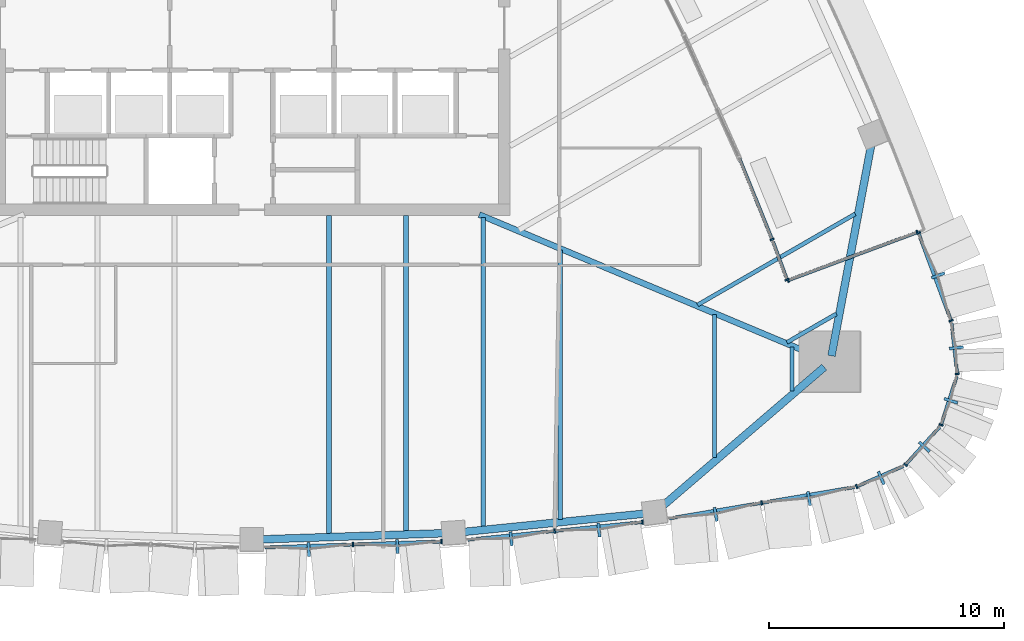
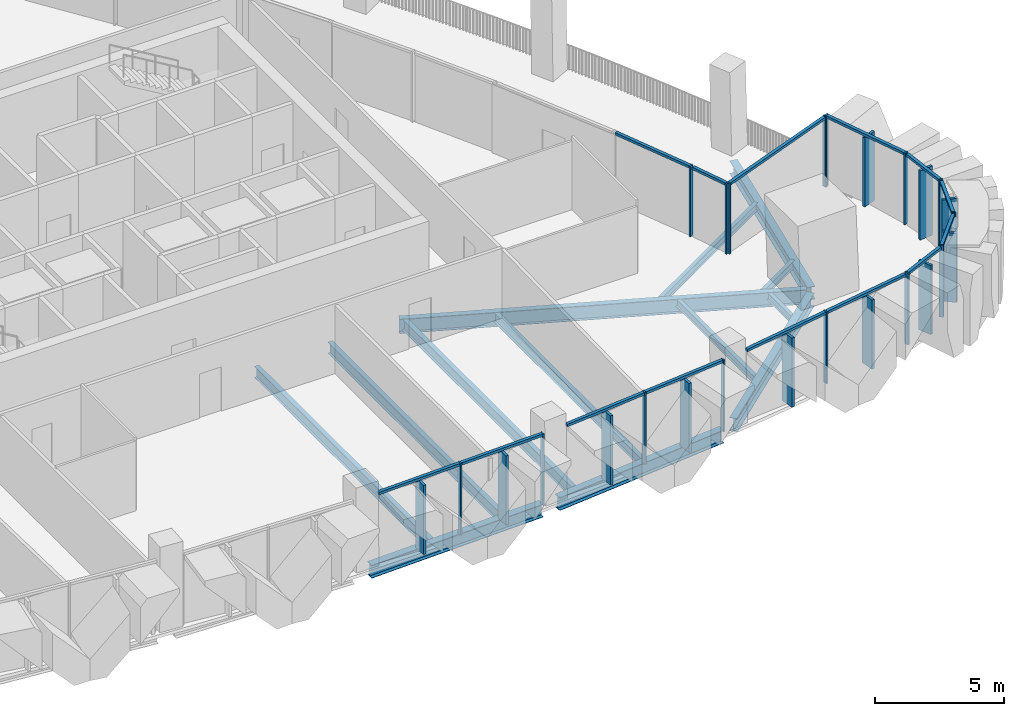
# One storey, part 4 of 22: 40 members, 13 beams, 11 elements without a shape of their own.
"""IFC4 building model written with IfcOpenShell, lengths in metres."""

from ifc_helpers import new_model, si_unit, direction, frame, origin, origin_2d, place, context, subcontext, project, spatial, rectangle, i_section, extrude, material, layer, layer_set, material_profile, profile_set, type_object, element, aggregate, save


model = new_model("IFC4")

# Units and contexts
model_context = context("Model", 3, precision=1e-05, world=origin(), true_north=direction((0.0, 1.0)))
body_context = subcontext(model_context, "Body", "Model", "MODEL_VIEW")
ifc_project = project(units=[si_unit("LENGTHUNIT", "METRE"), si_unit("AREAUNIT", "SQUARE_METRE"), si_unit("VOLUMEUNIT", "CUBIC_METRE"), si_unit("PLANEANGLEUNIT", "RADIAN"), si_unit("MASSUNIT", "GRAM", prefix="KILO")], contexts=[model_context])

# Site, building, storey
site_placement = place(None, origin())
site = spatial("IfcSite", under=ifc_project, at=site_placement, CompositionType="ELEMENT")
building_placement = place(site_placement, origin())
building = spatial("IfcBuilding", under=site, at=building_placement, Name="Sierra Prisma Convention Tower", CompositionType="ELEMENT")
storey_placement = place(building_placement, frame((0.0, 0.0, 141.800048828125)))
storey = spatial("IfcBuildingStorey", under=building, at=storey_placement, Name="L30", CompositionType="ELEMENT", Elevation=141.800048828125)

# Curtain wall, members
ifc_material_1 = material(Name="Aluminium and glass curtain wall", Category="aluminium")
ifc_layer_1 = layer(ifc_material_1, 0.179931640625)
ifc_layer_set_1 = layer_set([ifc_layer_1], Name="CW-2 Faceted crystal curtain wall")
curtain_wall_type_1 = type_object("IfcCurtainWallType", Name="CW-2 Faceted crystal curtain wall", PredefinedType="NOTDEFINED", material=ifc_layer_set_1)
curtain_wall_1_placement = place(storey_placement, origin())
curtain_wall_1 = element("IfcCurtainWall", 1, at=curtain_wall_1_placement, inside=storey, type_object=curtain_wall_type_1, Name="CW-2 S4 L30", PredefinedType="NOTDEFINED")
ifc_material_2 = material(Name="Aluminium 6063-T6 bronze anodised", Category="aluminium")
ifc_material_profile_1 = material_profile(ifc_material_2, rectangle(XDim=0.1201171875, YDim=0.60009765625, at=origin_2d()), Name="ALU RIDGE BLADE 120x600")
ifc_profile_set_1 = profile_set([ifc_material_profile_1], Name="Aluminium 6063-T6 bronze anodised")
member_type_1 = type_object("IfcMemberType", Name="CW hip bronze", PredefinedType="MULLION", material=ifc_profile_set_1)
member_1_placement = place(storey_placement, frame((2.42626953125, -22.21728515625, 0.0), z_axis=(0.0, 0.0, 1.0), x_axis=(0.999437717663, 0.033529815272, 0.0)))
member_1 = element("IfcMember", 2, at=member_1_placement, type_object=member_type_1, Name="CW-2 ridge S4.1", PredefinedType="MULLION", context=body_context, shape_type="SweptSolid", body=[
    extrude(rectangle(XDim=0.1201171875, YDim=0.60009765625, at=origin_2d()), origin(), (0.0, 0.0, 1.0), 3.280029296875),
])
member_2_placement = place(storey_placement, frame((6.19970703125, -22.0908203125, 0.0), z_axis=(0.0, 0.0, 1.0), x_axis=(0.999437717663, 0.033529815272, 0.0)))
member_2 = element("IfcMember", 3, at=member_2_placement, type_object=member_type_1, Name="CW-2 ridge S4.2", PredefinedType="MULLION", context=body_context, shape_type="SweptSolid", body=[
    extrude(rectangle(XDim=0.1201171875, YDim=0.60009765625, at=origin_2d()), origin(), (0.0, 0.0, 1.0), 3.280029296875),
])

curtain_wall_2_placement = place(storey_placement, origin())
curtain_wall_2 = element("IfcCurtainWall", 4, at=curtain_wall_2_placement, inside=storey, type_object=curtain_wall_type_1, Name="CW-2 S5 L30", PredefinedType="NOTDEFINED")
member_3_placement = place(storey_placement, frame((11.046142578125, -21.765380859375, 0.0), z_axis=(0.0, 0.0, 1.0), x_axis=(0.994943252195, 0.100438662437, 0.0)))
member_3 = element("IfcMember", 5, at=member_3_placement, type_object=member_type_1, Name="CW-2 ridge S5.1", PredefinedType="MULLION", context=body_context, shape_type="SweptSolid", body=[
    extrude(rectangle(XDim=0.1201171875, YDim=0.60009765625, at=origin_2d()), origin(), (0.0, 0.0, 1.0), 3.280029296875),
])
member_4_placement = place(storey_placement, frame((14.78662109375, -21.3876953125, 0.0), z_axis=(0.0, 0.0, 1.0), x_axis=(0.994943252195, 0.100438662437, 0.0)))
member_4 = element("IfcMember", 6, at=member_4_placement, type_object=member_type_1, Name="CW-2 ridge S5.2", PredefinedType="MULLION", context=body_context, shape_type="SweptSolid", body=[
    extrude(rectangle(XDim=0.1201171875, YDim=0.60009765625, at=origin_2d()), origin(), (0.0, 0.0, 1.0), 3.280029296875),
])

curtain_wall_3_placement = place(storey_placement, origin())
curtain_wall_3 = element("IfcCurtainWall", 7, at=curtain_wall_3_placement, inside=storey, type_object=curtain_wall_type_1, Name="CW-2 S6 L30", PredefinedType="NOTDEFINED")
member_5_placement = place(storey_placement, frame((19.760498046875, -20.72412109375, 0.0), z_axis=(0.0, 0.0, 1.0), x_axis=(0.985974532842, 0.166895837535, 0.0)))
member_5 = element("IfcMember", 8, at=member_5_placement, type_object=member_type_1, Name="CW-2 ridge S6.1", PredefinedType="MULLION", context=body_context, shape_type="SweptSolid", body=[
    extrude(rectangle(XDim=0.1201171875, YDim=0.60009765625, at=origin_2d()), origin(), (0.0, 0.0, 1.0), 3.280029296875),
])
member_6_placement = place(storey_placement, frame((23.73583984375, -20.05126953125, 0.0), z_axis=(0.0, 0.0, 1.0), x_axis=(0.985974532842, 0.166895837535, 0.0)))
member_6 = element("IfcMember", 9, at=member_6_placement, type_object=member_type_1, Name="CW-2 ridge S6.2", PredefinedType="MULLION", context=body_context, shape_type="SweptSolid", body=[
    extrude(rectangle(XDim=0.1201171875, YDim=0.60009765625, at=origin_2d()), origin(), (0.0, 0.0, 1.0), 3.280029296875),
])

# Curtain wall, member
curtain_wall_4_placement = place(storey_placement, origin())
curtain_wall_4 = element("IfcCurtainWall", 10, at=curtain_wall_4_placement, inside=storey, type_object=curtain_wall_type_1, Name="CW-2 SE1 L30", PredefinedType="NOTDEFINED")
member_7_placement = place(storey_placement, frame((26.81103515625, -19.1748046875, 0.0), z_axis=(0.0, 0.0, 1.0), x_axis=(0.916036486044, 0.40109494666, 0.0)))
member_7 = element("IfcMember", 11, at=member_7_placement, type_object=member_type_1, Name="CW-2 ridge SE1.1", PredefinedType="MULLION", context=body_context, shape_type="SweptSolid", body=[
    extrude(rectangle(XDim=0.1201171875, YDim=0.60009765625, at=origin_2d()), origin(), (0.0, 0.0, 1.0), 3.280029296875),
])

curtain_wall_5_placement = place(storey_placement, origin())
curtain_wall_5 = element("IfcCurtainWall", 12, at=curtain_wall_5_placement, inside=storey, type_object=curtain_wall_type_1, Name="CW-2 SE2 L30", PredefinedType="NOTDEFINED")
member_8_placement = place(storey_placement, frame((28.650390625, -17.85009765625, 0.0), z_axis=(0.0, 0.0, 1.0), x_axis=(0.670656893487, 0.741767707048, 0.0)))
member_8 = element("IfcMember", 13, at=member_8_placement, type_object=member_type_1, Name="CW-2 ridge SE2.1", PredefinedType="MULLION", context=body_context, shape_type="SweptSolid", body=[
    extrude(rectangle(XDim=0.1201171875, YDim=0.60009765625, at=origin_2d()), origin(), (0.0, 0.0, 1.0), 3.280029296875),
])

curtain_wall_6_placement = place(storey_placement, origin())
curtain_wall_6 = element("IfcCurtainWall", 14, at=curtain_wall_6_placement, inside=storey, type_object=curtain_wall_type_1, Name="CW-2 SE3 L30", PredefinedType="NOTDEFINED")
member_9_placement = place(storey_placement, frame((29.78369140625, -15.886962890625, 0.0), z_axis=(0.0, 0.0, 1.0), x_axis=(0.307061231267, 0.951689760506, 0.0)))
member_9 = element("IfcMember", 15, at=member_9_placement, type_object=member_type_1, Name="CW-2 ridge SE3.1", PredefinedType="MULLION", context=body_context, shape_type="SweptSolid", body=[
    extrude(rectangle(XDim=0.1201171875, YDim=0.60009765625, at=origin_2d()), origin(), (0.0, 0.0, 1.0), 3.280029296875),
])

curtain_wall_7_placement = place(storey_placement, origin())
curtain_wall_7 = element("IfcCurtainWall", 16, at=curtain_wall_7_placement, inside=storey, type_object=curtain_wall_type_1, Name="CW-2 SE4 L30", PredefinedType="NOTDEFINED")
member_10_placement = place(storey_placement, frame((30.011474609375, -13.6318359375, 0.0), z_axis=(0.0, 0.0, 1.0), x_axis=(-0.110659829885, 0.993858341038, 0.0)))
member_10 = element("IfcMember", 17, at=member_10_placement, type_object=member_type_1, Name="CW-2 ridge SE4.1", PredefinedType="MULLION", context=body_context, shape_type="SweptSolid", body=[
    extrude(rectangle(XDim=0.1201171875, YDim=0.60009765625, at=origin_2d()), origin(), (0.0, 0.0, 1.0), 3.280029296875),
])

curtain_wall_8_placement = place(storey_placement, origin())
curtain_wall_8 = element("IfcCurtainWall", 18, at=curtain_wall_8_placement, inside=storey, type_object=curtain_wall_type_1, Name="CW-2 NE1 L30", PredefinedType="NOTDEFINED")
member_11_placement = place(storey_placement, frame((29.237548828125, -10.547119140625, 0.0), z_axis=(0.0, 0.0, 1.0), x_axis=(-0.34845123133, 0.937326911693, 0.0)))
member_11 = element("IfcMember", 19, at=member_11_placement, type_object=member_type_1, Name="CW-2 ridge NE1.1", PredefinedType="MULLION", context=body_context, shape_type="SweptSolid", body=[
    extrude(rectangle(XDim=0.1201171875, YDim=0.60009765625, at=origin_2d()), origin(), (0.0, 0.0, 1.0), 3.280029296875),
])

# Member
ifc_material_3 = material(Name="Aluminium 6063-T6 bronze anodised", Category="aluminium")
ifc_material_profile_2 = material_profile(ifc_material_3, rectangle(XDim=0.179931640625, YDim=0.070068359375, at=origin_2d()), Name="ALU MULLION 70x180")
ifc_profile_set_2 = profile_set([ifc_material_profile_2], Name="Aluminium 6063-T6 bronze anodised")
member_type_2 = type_object("IfcMemberType", Name="CW mullion bronze", PredefinedType="MULLION", material=ifc_profile_set_2)
member_12_placement = place(storey_placement, frame((4.30810546875, -22.00830078125, 0.0), z_axis=(0.0, 0.0, 1.0), x_axis=(-0.033529815272, 0.999437717663, 0.0)))
member_12 = element("IfcMember", 20, at=member_12_placement, type_object=member_type_2, Name="CW-1 mullion S4.2", PredefinedType="MULLION", context=body_context, shape_type="SweptSolid", body=[
    extrude(rectangle(XDim=0.179931640625, YDim=0.070068359375, at=origin_2d()), origin(), (0.0, 0.0, 1.0), 3.39990234375),
])

member_13_placement = place(storey_placement, frame((8.08154296875, -21.8818359375, 0.0), z_axis=(0.0, 0.0, 1.0), x_axis=(-0.033529815272, 0.999437717663, 0.0)))
member_13 = element("IfcMember", 21, at=member_13_placement, type_object=member_type_2, Name="CW-1 mullion S4.3", PredefinedType="MULLION", context=body_context, shape_type="SweptSolid", body=[
    extrude(rectangle(XDim=0.179931640625, YDim=0.070068359375, at=origin_2d()), origin(), (0.0, 0.0, 1.0), 3.39990234375),
])

member_14_placement = place(storey_placement, frame((12.90185546875, -21.43212890625, 0.0), z_axis=(0.0, 0.0, 1.0), x_axis=(-0.100438662437, 0.994943252195, 0.0)))
member_14 = element("IfcMember", 22, at=member_14_placement, type_object=member_type_2, Name="CW-1 mullion S5.2", PredefinedType="MULLION", context=body_context, shape_type="SweptSolid", body=[
    extrude(rectangle(XDim=0.179931640625, YDim=0.070068359375, at=origin_2d()), origin(), (0.0, 0.0, 1.0), 3.39990234375),
])

member_15_placement = place(storey_placement, frame((16.642333984375, -21.054443359375, 0.0), z_axis=(0.0, 0.0, 1.0), x_axis=(-0.100438662437, 0.994943252195, 0.0)))
member_15 = element("IfcMember", 23, at=member_15_placement, type_object=member_type_2, Name="CW-1 mullion S5.3", PredefinedType="MULLION", context=body_context, shape_type="SweptSolid", body=[
    extrude(rectangle(XDim=0.179931640625, YDim=0.070068359375, at=origin_2d()), origin(), (0.0, 0.0, 1.0), 3.39990234375),
])

member_16_placement = place(storey_placement, frame((21.72216796875, -20.23388671875, 0.0), z_axis=(0.0, 0.0, 1.0), x_axis=(-0.166895837535, 0.985974532842, 0.0)))
member_16 = element("IfcMember", 24, at=member_16_placement, type_object=member_type_2, Name="CW-1 mullion S6.2", PredefinedType="MULLION", context=body_context, shape_type="SweptSolid", body=[
    extrude(rectangle(XDim=0.179931640625, YDim=0.070068359375, at=origin_2d()), origin(), (0.0, 0.0, 1.0), 3.39990234375),
])

member_17_placement = place(storey_placement, frame((25.76416015625, -19.541259765625, 0.0), z_axis=(0.0, 0.0, 1.0), x_axis=(-0.40109494666, 0.916036486044, 0.0)))
member_17 = element("IfcMember", 25, at=member_17_placement, type_object=member_type_2, Name="CW-1 mullion SE1.1", PredefinedType="MULLION", context=body_context, shape_type="SweptSolid", body=[
    extrude(rectangle(XDim=0.179931640625, YDim=0.070068359375, at=origin_2d()), origin(), (0.0, 0.0, 1.0), 3.39990234375),
])

member_18_placement = place(storey_placement, frame((27.845947265625, -18.614013671875, 0.0), z_axis=(0.0, 0.0, 1.0), x_axis=(-0.741767707048, 0.670656893487, 0.0)))
member_18 = element("IfcMember", 26, at=member_18_placement, type_object=member_type_2, Name="CW-1 mullion SE2.1", PredefinedType="MULLION", context=body_context, shape_type="SweptSolid", body=[
    extrude(rectangle(XDim=0.179931640625, YDim=0.070068359375, at=origin_2d()), origin(), (0.0, 0.0, 1.0), 3.39990234375),
])

member_19_placement = place(storey_placement, frame((29.36376953125, -16.913818359375, 0.0), z_axis=(0.0, 0.0, 1.0), x_axis=(-0.951689760506, 0.307061231267, 0.0)))
member_19 = element("IfcMember", 27, at=member_19_placement, type_object=member_type_2, Name="CW-1 mullion SE3.1", PredefinedType="MULLION", context=body_context, shape_type="SweptSolid", body=[
    extrude(rectangle(XDim=0.179931640625, YDim=0.070068359375, at=origin_2d()), origin(), (0.0, 0.0, 1.0), 3.39990234375),
])

member_20_placement = place(storey_placement, frame((30.050048828125, -14.740234375, 0.0), z_axis=(0.0, 0.0, 1.0), x_axis=(-0.993858341038, -0.110659829885, 0.0)))
member_20 = element("IfcMember", 28, at=member_20_placement, type_object=member_type_2, Name="CW-1 mullion SE4.1", PredefinedType="MULLION", context=body_context, shape_type="SweptSolid", body=[
    extrude(rectangle(XDim=0.179931640625, YDim=0.070068359375, at=origin_2d()), origin(), (0.0, 0.0, 1.0), 3.39990234375),
])

member_21_placement = place(storey_placement, frame((29.7890625, -12.47412109375, 0.0), z_axis=(0.0, 0.0, 1.0), x_axis=(-0.937326911693, -0.34845123133, 0.0)))
member_21 = element("IfcMember", 29, at=member_21_placement, type_object=member_type_2, Name="CW-1 mullion NE1.1", PredefinedType="MULLION", context=body_context, shape_type="SweptSolid", body=[
    extrude(rectangle(XDim=0.179931640625, YDim=0.070068359375, at=origin_2d()), origin(), (0.0, 0.0, 1.0), 3.39990234375),
])

member_22_placement = place(storey_placement, frame((28.396484375, -8.727783203125, 0.0), z_axis=(0.0, 0.0, 1.0), x_axis=(-0.937326911693, -0.34845123133, 0.0)))
member_22 = element("IfcMember", 30, at=member_22_placement, type_object=member_type_2, Name="CW-1 mullion NE1.2", PredefinedType="MULLION", context=body_context, shape_type="SweptSolid", body=[
    extrude(rectangle(XDim=0.179931640625, YDim=0.070068359375, at=origin_2d()), origin(), (0.0, 0.0, 1.0), 3.39990234375),
])

# Curtain wall, member
ifc_material_4 = material(Name="Aluminium and glass curtain wall", Category="aluminium")
ifc_layer_2 = layer(ifc_material_4, 0.179931640625)
ifc_layer_set_2 = layer_set([ifc_layer_2], Name="CW-6 Terrace recess curtain wall")
curtain_wall_type_2 = type_object("IfcCurtainWallType", Name="CW-6 Terrace recess curtain wall", PredefinedType="NOTDEFINED", material=ifc_layer_set_2)
curtain_wall_9_placement = place(storey_placement, origin())
curtain_wall_9 = element("IfcCurtainWall", 31, at=curtain_wall_9_placement, inside=storey, type_object=curtain_wall_type_2, Name="CW-6 R1 L30", PredefinedType="NOTDEFINED")
member_23_placement = place(storey_placement, frame((22.802734375, -10.732421875, 0.0), z_axis=(0.0, 0.0, 1.0), x_axis=(-0.938025355418, -0.346566635141, 0.0)))
member_23 = element("IfcMember", 32, at=member_23_placement, type_object=member_type_2, Name="CW-6 mullion R1.1", PredefinedType="MULLION", context=body_context, shape_type="SweptSolid", body=[
    extrude(rectangle(XDim=0.179931640625, YDim=0.070068359375, at=origin_2d()), origin(), (0.0, 0.0, 1.0), 3.33984375),
])

curtain_wall_10_placement = place(storey_placement, origin())
curtain_wall_10 = element("IfcCurtainWall", 33, at=curtain_wall_10_placement, inside=storey, type_object=curtain_wall_type_2, Name="CW-6 R2 L30", PredefinedType="NOTDEFINED")
member_24_placement = place(storey_placement, frame((22.16650390625, -9.01318359375, 0.0), z_axis=(0.0, 0.0, 1.0), x_axis=(-0.927062982377, -0.374905623733, 0.0)))
member_24 = element("IfcMember", 34, at=member_24_placement, type_object=member_type_2, Name="CW-6 mullion R2.1", PredefinedType="MULLION", context=body_context, shape_type="SweptSolid", body=[
    extrude(rectangle(XDim=0.179931640625, YDim=0.070068359375, at=origin_2d()), origin(), (0.0, 0.0, 1.0), 3.33984375),
])

# Curtain wall, members
curtain_wall_11_placement = place(storey_placement, origin())
curtain_wall_11 = element("IfcCurtainWall", 35, at=curtain_wall_11_placement, inside=storey, type_object=curtain_wall_type_2, Name="CW-6 RT1 L30", PredefinedType="NOTDEFINED")
member_25_placement = place(storey_placement, frame((28.351318359375, -8.70703125, 0.0), z_axis=(0.0, 0.0, 1.0), x_axis=(0.34845123133, -0.937326911693, 0.0)))
member_25 = element("IfcMember", 36, at=member_25_placement, type_object=member_type_2, Name="CW-6 mullion RT1.1", PredefinedType="MULLION", context=body_context, shape_type="SweptSolid", body=[
    extrude(rectangle(XDim=0.179931640625, YDim=0.070068359375, at=origin_2d()), origin(), (0.0, 0.0, 1.0), 3.33984375),
])
member_26_placement = place(storey_placement, frame((22.84765625, -10.753173828125, 0.0), z_axis=(0.0, 0.0, 1.0), x_axis=(0.34845123133, -0.937326911693, 0.0)))
member_26 = element("IfcMember", 37, at=member_26_placement, type_object=member_type_2, Name="CW-6 mullion RT1.2", PredefinedType="MULLION", context=body_context, shape_type="SweptSolid", body=[
    extrude(rectangle(XDim=0.179931640625, YDim=0.070068359375, at=origin_2d()), origin(), (0.0, 0.0, 1.0), 3.33984375),
])

# Member
ifc_material_5 = material(Name="Aluminium 6063-T6 bronze anodised", Category="aluminium")
ifc_material_profile_3 = material_profile(ifc_material_5, rectangle(XDim=0.139892578125, YDim=0.1201171875, at=origin_2d()), Name="ALU TRANSOM 120x140")
ifc_profile_set_3 = profile_set([ifc_material_profile_3], Name="Aluminium 6063-T6 bronze anodised")
member_type_3 = type_object("IfcMemberType", Name="CW transom bronze", PredefinedType="USERDEFINED", material=ifc_profile_set_3)
member_27_placement = place(storey_placement, frame((0.569580078125, -22.1337890625, 3.33984375), z_axis=(0.999437570752, 0.033534194035, 0.0), x_axis=(-0.033534194035, 0.999437570752, 0.0)))
member_27 = element("IfcMember", 38, at=member_27_placement, type_object=member_type_3, Name="CW-1 transom S4.1", ObjectType="TRANSOM", PredefinedType="USERDEFINED", context=body_context, shape_type="SweptSolid", body=[
    extrude(rectangle(XDim=0.139892578125, YDim=0.1201171875, at=origin_2d()), origin(), (0.0, 0.0, 1.0), 3.705810546875),
])

member_28_placement = place(storey_placement, frame((4.34326171875, -22.007080078125, 3.33984375), z_axis=(0.999437496657, 0.033536402254, 0.0), x_axis=(-0.033536402254, 0.999437496657, 0.0)))
member_28 = element("IfcMember", 39, at=member_28_placement, type_object=member_type_3, Name="CW-1 transom S4.2", ObjectType="TRANSOM", PredefinedType="USERDEFINED", context=body_context, shape_type="SweptSolid", body=[
    extrude(rectangle(XDim=0.139892578125, YDim=0.1201171875, at=origin_2d()), origin(), (0.0, 0.0, 1.0), 3.70556640625),
])

aggregate(curtain_wall_1, [member_12, member_13, member_27, member_1, member_28, member_2])

member_29_placement = place(storey_placement, frame((9.196044921875, -21.80615234375, 3.33984375), z_axis=(0.994942400605, 0.100447097906, 0.0), x_axis=(-0.100447097906, 0.994942400605, 0.0)))
member_29 = element("IfcMember", 40, at=member_29_placement, type_object=member_type_3, Name="CW-1 transom S5.1", ObjectType="TRANSOM", PredefinedType="USERDEFINED", context=body_context, shape_type="SweptSolid", body=[
    extrude(rectangle(XDim=0.139892578125, YDim=0.1201171875, at=origin_2d()), origin(), (0.0, 0.0, 1.0), 3.689453125),
])

member_30_placement = place(storey_placement, frame((12.936767578125, -21.428466796875, 3.33984375), z_axis=(0.994941732902, 0.100453711377, 0.0), x_axis=(-0.100453711377, 0.994941732902, 0.0)))
member_30 = element("IfcMember", 41, at=member_30_placement, type_object=member_type_3, Name="CW-1 transom S5.2", ObjectType="TRANSOM", PredefinedType="USERDEFINED", context=body_context, shape_type="SweptSolid", body=[
    extrude(rectangle(XDim=0.139892578125, YDim=0.1201171875, at=origin_2d()), origin(), (0.0, 0.0, 1.0), 3.689208984375),
])

aggregate(curtain_wall_2, [member_14, member_15, member_29, member_3, member_30, member_4])

member_31_placement = place(storey_placement, frame((17.78125, -20.901123046875, 3.33984375), z_axis=(0.9859693419, 0.166926501294, 0.0), x_axis=(-0.166926501294, 0.9859693419, 0.0)))
member_31 = element("IfcMember", 42, at=member_31_placement, type_object=member_type_3, Name="CW-1 transom S6.1", ObjectType="TRANSOM", PredefinedType="USERDEFINED", context=body_context, shape_type="SweptSolid", body=[
    extrude(rectangle(XDim=0.139892578125, YDim=0.1201171875, at=origin_2d()), origin(), (0.0, 0.0, 1.0), 3.962158203125),
])

member_32_placement = place(storey_placement, frame((21.756591796875, -20.22802734375, 3.33984375), z_axis=(0.985979481749, 0.166866598124, 0.0), x_axis=(-0.166866598124, 0.985979481749, 0.0)))
member_32 = element("IfcMember", 43, at=member_32_placement, type_object=member_type_3, Name="CW-1 transom S6.2", ObjectType="TRANSOM", PredefinedType="USERDEFINED", context=body_context, shape_type="SweptSolid", body=[
    extrude(rectangle(XDim=0.139892578125, YDim=0.1201171875, at=origin_2d()), origin(), (0.0, 0.0, 1.0), 3.962158203125),
])

aggregate(curtain_wall_3, [member_16, member_31, member_5, member_32, member_6])

member_33_placement = place(storey_placement, frame((25.796142578125, -19.527099609375, 3.33984375), z_axis=(0.916057913522, 0.401046006181, 0.0), x_axis=(-0.401046006181, 0.916057913522, 0.0)))
member_33 = element("IfcMember", 44, at=member_33_placement, type_object=member_type_3, Name="CW-1 transom SE1.1", ObjectType="TRANSOM", PredefinedType="USERDEFINED", context=body_context, shape_type="SweptSolid", body=[
    extrude(rectangle(XDim=0.139892578125, YDim=0.1201171875, at=origin_2d()), origin(), (0.0, 0.0, 1.0), 2.142333984375),
])

aggregate(curtain_wall_4, [member_17, member_33, member_7])

member_34_placement = place(storey_placement, frame((27.86962890625, -18.587890625, 3.33984375), z_axis=(0.670650647687, 0.741773354036, 0.0), x_axis=(-0.741773354036, 0.670650647687, 0.0)))
member_34 = element("IfcMember", 45, at=member_34_placement, type_object=member_type_3, Name="CW-1 transom SE2.1", ObjectType="TRANSOM", PredefinedType="USERDEFINED", context=body_context, shape_type="SweptSolid", body=[
    extrude(rectangle(XDim=0.139892578125, YDim=0.1201171875, at=origin_2d()), origin(), (0.0, 0.0, 1.0), 2.14208984375),
])

aggregate(curtain_wall_5, [member_18, member_34, member_8])

member_35_placement = place(storey_placement, frame((29.37451171875, -16.88037109375, 3.33984375), z_axis=(0.307152625268, 0.951660267528, 0.0), x_axis=(-0.951660267528, 0.307152625268, 0.0)))
member_35 = element("IfcMember", 46, at=member_35_placement, type_object=member_type_3, Name="CW-1 transom SE3.1", ObjectType="TRANSOM", PredefinedType="USERDEFINED", context=body_context, shape_type="SweptSolid", body=[
    extrude(rectangle(XDim=0.139892578125, YDim=0.1201171875, at=origin_2d()), origin(), (0.0, 0.0, 1.0), 2.14208984375),
])

aggregate(curtain_wall_6, [member_19, member_35, member_9])

member_36_placement = place(storey_placement, frame((30.046142578125, -14.70556640625, 3.33984375), z_axis=(-0.110669201366, 0.993857297538, 0.0), x_axis=(-0.993857297538, -0.110669201366, 0.0)))
member_36 = element("IfcMember", 47, at=member_36_placement, type_object=member_type_3, Name="CW-1 transom SE4.1", ObjectType="TRANSOM", PredefinedType="USERDEFINED", context=body_context, shape_type="SweptSolid", body=[
    extrude(rectangle(XDim=0.139892578125, YDim=0.1201171875, at=origin_2d()), origin(), (0.0, 0.0, 1.0), 2.14208984375),
])

aggregate(curtain_wall_7, [member_20, member_36, member_10])

member_37_placement = place(storey_placement, frame((29.77685546875, -12.44140625, 3.33984375), z_axis=(-0.348403492653, 0.93734465716, 0.0), x_axis=(-0.93734465716, -0.348403492653, 0.0)))
member_37 = element("IfcMember", 48, at=member_37_placement, type_object=member_type_3, Name="CW-1 transom NE1.1", ObjectType="TRANSOM", PredefinedType="USERDEFINED", context=body_context, shape_type="SweptSolid", body=[
    extrude(rectangle(XDim=0.139892578125, YDim=0.1201171875, at=origin_2d()), origin(), (0.0, 0.0, 1.0), 3.927001953125),
])

aggregate(curtain_wall_8, [member_21, member_22, member_37, member_11])

member_38_placement = place(storey_placement, frame((22.790771484375, -10.69970703125, 3.280029296875), z_axis=(-0.346600502877, 0.938012841813, 0.0), x_axis=(-0.938012841813, -0.346600502877, 0.0)))
member_38 = element("IfcMember", 49, at=member_38_placement, type_object=member_type_3, Name="CW-6 transom R1.1", ObjectType="TRANSOM", PredefinedType="USERDEFINED", context=body_context, shape_type="SweptSolid", body=[
    extrude(rectangle(XDim=0.139892578125, YDim=0.1201171875, at=origin_2d()), origin(), (0.0, 0.0, 1.0), 1.693359375),
])

aggregate(curtain_wall_9, [member_23, member_38])

member_39_placement = place(storey_placement, frame((22.1533203125, -8.980712890625, 3.280029296875), z_axis=(-0.374930697514, 0.927052842109, 0.0), x_axis=(-0.927052842109, -0.374930697514, 0.0)))
member_39 = element("IfcMember", 50, at=member_39_placement, type_object=member_type_3, Name="CW-6 transom R2.1", ObjectType="TRANSOM", PredefinedType="USERDEFINED", context=body_context, shape_type="SweptSolid", body=[
    extrude(rectangle(XDim=0.139892578125, YDim=0.1201171875, at=origin_2d()), origin(), (0.0, 0.0, 1.0), 3.659423828125),
])

aggregate(curtain_wall_10, [member_24, member_39])

member_40_placement = place(storey_placement, frame((28.318603515625, -8.71923828125, 3.280029296875), z_axis=(-0.937318092477, -0.348474953928, 0.0), x_axis=(0.348474953928, -0.937318092477, 0.0)))
member_40 = element("IfcMember", 51, at=member_40_placement, type_object=member_type_3, Name="CW-6 transom RT1.1", ObjectType="TRANSOM", PredefinedType="USERDEFINED", context=body_context, shape_type="SweptSolid", body=[
    extrude(rectangle(XDim=0.139892578125, YDim=0.1201171875, at=origin_2d()), origin(), (0.0, 0.0, 1.0), 5.8017578125),
])

aggregate(curtain_wall_11, [member_25, member_26, member_40])

# Beams
ifc_material_6 = material(Name="Steel ASTM A992 Gr 50", Category="steel")
ifc_material_profile_4 = material_profile(ifc_material_6, i_section(OverallWidth=0.172119140625, OverallDepth=0.35791015625, WebThickness=0.0078125, FlangeThickness=0.01318359375, at=origin_2d()), Name="W360x57")
ifc_profile_set_4 = profile_set([ifc_material_profile_4], Name="Steel ASTM A992 Gr 50")
beam_type_1 = type_object("IfcBeamType", Name="Floor joist W360x57", PredefinedType="JOIST", material=ifc_profile_set_4)
beam_1_placement = place(storey_placement, frame((19.716552734375, -18.299560546875, -0.3291015625), z_axis=(0.0, 1.0, 0.0), x_axis=(-1.0, 0.0, 0.0)))
element("IfcBeam", 52, at=beam_1_placement, inside=storey, type_object=beam_type_1, Name="Floor joist L30 S14", PredefinedType="JOIST", context=body_context, shape_type="SweptSolid", body=[
    extrude(i_section(OverallWidth=0.172119140625, OverallDepth=0.35791015625, WebThickness=0.0078125, FlangeThickness=0.01318359375, at=origin_2d()), origin(), (0.0, 0.0, 1.0), 6.08349609375),
])
beam_2_placement = place(storey_placement, frame((23.002685546875, -15.4765625, -0.3291015625), z_axis=(0.0, 1.0, 0.0), x_axis=(-1.0, 0.0, 0.0)))
element("IfcBeam", 53, at=beam_2_placement, inside=storey, type_object=beam_type_1, Name="Floor joist L30 S15", PredefinedType="JOIST", context=body_context, shape_type="SweptSolid", body=[
    extrude(i_section(OverallWidth=0.172119140625, OverallDepth=0.35791015625, WebThickness=0.0078125, FlangeThickness=0.01318359375, at=origin_2d()), origin(), (0.0, 0.0, 1.0), 1.881591796875),
])
beam_3_placement = place(storey_placement, frame((24.904296875, -12.1826171875, -0.3291015625), z_axis=(-0.866041838024, -0.499971533982, 0.0), x_axis=(0.499971533982, -0.866041838024, 0.0)))
element("IfcBeam", 54, at=beam_3_placement, inside=storey, type_object=beam_type_1, Name="Floor joist L30 NE01", PredefinedType="JOIST", context=body_context, shape_type="SweptSolid", body=[
    extrude(i_section(OverallWidth=0.172119140625, OverallDepth=0.35791015625, WebThickness=0.0078125, FlangeThickness=0.01318359375, at=origin_2d()), origin(), (0.0, 0.0, 1.0), 2.432373046875),
])
beam_4_placement = place(storey_placement, frame((25.7060546875, -7.92529296875, -0.47900390625), z_axis=(-0.866021446005, -0.500006855012, 0.0), x_axis=(0.500006855012, -0.866021446005, 0.0)))
element("IfcBeam", 55, at=beam_4_placement, inside=storey, type_object=beam_type_1, Name="Floor joist L30 NE02", PredefinedType="JOIST", context=body_context, shape_type="SweptSolid", body=[
    extrude(i_section(OverallWidth=0.172119140625, OverallDepth=0.35791015625, WebThickness=0.0078125, FlangeThickness=0.01318359375, at=origin_2d()), origin(), (0.0, 0.0, 1.0), 7.7529296875),
])
ifc_material_7 = material(Name="Steel ASTM A992 Gr 50", Category="steel")
ifc_material_profile_5 = material_profile(ifc_material_7, i_section(OverallWidth=0.18994140625, OverallDepth=0.45703125, WebThickness=0.009033203125, FlangeThickness=0.014404296875, at=origin_2d()), Name="W460x74")
ifc_profile_set_5 = profile_set([ifc_material_profile_5], Name="Steel ASTM A992 Gr 50")
beam_type_2 = type_object("IfcBeamType", Name="Floor joist W460x74", PredefinedType="JOIST", material=ifc_profile_set_5)
beam_5_placement = place(storey_placement, frame((13.144287109375, -20.942626953125, -0.378662109375), z_axis=(0.0, 1.0, 0.0), x_axis=(-1.0, 0.0, 0.0)))
element("IfcBeam", 56, at=beam_5_placement, inside=storey, type_object=beam_type_2, Name="Floor joist L30 S12", PredefinedType="JOIST", context=body_context, shape_type="SweptSolid", body=[
    extrude(i_section(OverallWidth=0.18994140625, OverallDepth=0.45703125, WebThickness=0.009033203125, FlangeThickness=0.014404296875, at=origin_2d()), origin(), (0.0, 0.0, 1.0), 11.484375),
])
ifc_material_8 = material(Name="Steel ASTM A992 Gr 50", Category="steel")
ifc_material_profile_6 = material_profile(ifc_material_8, i_section(OverallWidth=0.208984375, OverallDepth=0.532958984375, WebThickness=0.01025390625, FlangeThickness=0.015625, at=origin_2d()), Name="W530x92")
ifc_profile_set_6 = profile_set([ifc_material_profile_6], Name="Steel ASTM A992 Gr 50")
beam_type_3 = type_object("IfcBeamType", Name="Floor joist W530x92", PredefinedType="JOIST", material=ifc_profile_set_6)
beam_6_placement = place(storey_placement, frame((3.2861328125, -21.580078125, -0.41650390625), z_axis=(0.0, 1.0, 0.0), x_axis=(-1.0, 0.0, 0.0)))
element("IfcBeam", 57, at=beam_6_placement, inside=storey, type_object=beam_type_3, Name="Floor joist L30 S09", PredefinedType="JOIST", context=body_context, shape_type="SweptSolid", body=[
    extrude(i_section(OverallWidth=0.208984375, OverallDepth=0.532958984375, WebThickness=0.01025390625, FlangeThickness=0.015625, at=origin_2d()), origin(), (0.0, 0.0, 1.0), 13.580078125),
])
beam_7_placement = place(storey_placement, frame((6.572265625, -21.4697265625, -0.41650390625), z_axis=(0.0, 1.0, 0.0), x_axis=(-1.0, 0.0, 0.0)))
element("IfcBeam", 58, at=beam_7_placement, inside=storey, type_object=beam_type_3, Name="Floor joist L30 S10", PredefinedType="JOIST", context=body_context, shape_type="SweptSolid", body=[
    extrude(i_section(OverallWidth=0.208984375, OverallDepth=0.532958984375, WebThickness=0.01025390625, FlangeThickness=0.015625, at=origin_2d()), origin(), (0.0, 0.0, 1.0), 13.4697265625),
])
beam_8_placement = place(storey_placement, frame((9.858154296875, -21.2744140625, -0.41650390625), z_axis=(0.0, 1.0, 0.0), x_axis=(-1.0, 0.0, 0.0)))
element("IfcBeam", 59, at=beam_8_placement, inside=storey, type_object=beam_type_3, Name="Floor joist L30 S11", PredefinedType="JOIST", context=body_context, shape_type="SweptSolid", body=[
    extrude(i_section(OverallWidth=0.208984375, OverallDepth=0.532958984375, WebThickness=0.01025390625, FlangeThickness=0.015625, at=origin_2d()), origin(), (0.0, 0.0, 1.0), 13.19482421875),
])
ifc_material_9 = material(Name="Steel ASTM A992 Gr 50", Category="steel")
ifc_material_profile_7 = material_profile(ifc_material_9, i_section(OverallWidth=0.25390625, OverallDepth=0.68408203125, WebThickness=0.012451171875, FlangeThickness=0.018798828125, at=origin_2d()), Name="W690x140")
ifc_profile_set_7 = profile_set([ifc_material_profile_7], Name="Steel ASTM A992 Gr 50")
beam_type_4 = type_object("IfcBeamType", Name="Radial girder W690x140", PredefinedType="BEAM", material=ifc_profile_set_7)
beam_9_placement = place(storey_placement, frame((24.3857421875, -14.1201171875, -0.491943359375), z_axis=(-0.922115058473, 0.386915777575, 0.0), x_axis=(-0.386915777575, -0.922115058473, 0.0)))
element("IfcBeam", 60, at=beam_9_placement, inside=storey, type_object=beam_type_4, Name="Radial girder L30 SE", PredefinedType="BEAM", context=body_context, shape_type="SweptSolid", body=[
    extrude(i_section(OverallWidth=0.25390625, OverallDepth=0.68408203125, WebThickness=0.012451171875, FlangeThickness=0.018798828125, at=origin_2d()), origin(), (0.0, 0.0, 1.0), 15.9375),
])
ifc_material_10 = material(Name="Steel ASTM A992 Gr 50", Category="steel")
ifc_material_profile_8 = material_profile(ifc_material_10, i_section(OverallWidth=0.324951171875, OverallDepth=0.615966796875, WebThickness=0.013916015625, FlangeThickness=0.021484375, at=origin_2d()), Name="W610x174")
ifc_profile_set_8 = profile_set([ifc_material_profile_8], Name="Steel ASTM A992 Gr 50")
beam_type_5 = type_object("IfcBeamType", Name="Spandrel beam W610x174", PredefinedType="BEAM", material=ifc_profile_set_8)
beam_10_placement = place(storey_placement, frame((0.380126953125, -21.7900390625, -0.4580078125), z_axis=(0.999437808128, 0.03352711863, 0.0), x_axis=(-0.03352711863, 0.999437808128, 0.0)))
element("IfcBeam", 61, at=beam_10_placement, inside=storey, type_object=beam_type_5, Name="Spandrel L30-04", PredefinedType="BEAM", context=body_context, shape_type="SweptSolid", body=[
    extrude(i_section(OverallWidth=0.324951171875, OverallDepth=0.615966796875, WebThickness=0.013916015625, FlangeThickness=0.021484375, at=origin_2d()), origin(), (0.0, 0.0, 1.0), 7.849853515625),
])
beam_11_placement = place(storey_placement, frame((8.98388671875, -21.47607421875, -0.4580078125), z_axis=(0.994941585701, 0.100455169323, 0.0), x_axis=(-0.100455169323, 0.994941585701, 0.0)))
element("IfcBeam", 62, at=beam_11_placement, inside=storey, type_object=beam_type_5, Name="Spandrel L30-05", PredefinedType="BEAM", context=body_context, shape_type="SweptSolid", body=[
    extrude(i_section(OverallWidth=0.324951171875, OverallDepth=0.615966796875, WebThickness=0.013916015625, FlangeThickness=0.021484375, at=origin_2d()), origin(), (0.0, 0.0, 1.0), 7.85009765625),
])
beam_12_placement = place(storey_placement, frame((17.53369140625, -20.339111328125, -0.4580078125), z_axis=(0.758529271561, 0.651638967669, 0.0), x_axis=(-0.651638967669, 0.758529271561, 0.0)))
element("IfcBeam", 63, at=beam_12_placement, inside=storey, type_object=beam_type_5, Name="Spandrel L30-06", PredefinedType="BEAM", context=body_context, shape_type="SweptSolid", body=[
    extrude(i_section(OverallWidth=0.324951171875, OverallDepth=0.615966796875, WebThickness=0.013916015625, FlangeThickness=0.021484375, at=origin_2d()), origin(), (0.0, 0.0, 1.0), 9.033447265625),
])
beam_13_placement = place(storey_placement, frame((24.694580078125, -13.96923828125, -0.608154296875), z_axis=(0.185092493617, 0.982721104285, 0.0), x_axis=(-0.982721104285, 0.185092493617, 0.0)))
element("IfcBeam", 64, at=beam_13_placement, inside=storey, type_object=beam_type_5, Name="Spandrel L30-07", PredefinedType="BEAM", context=body_context, shape_type="SweptSolid", body=[
    extrude(i_section(OverallWidth=0.324951171875, OverallDepth=0.615966796875, WebThickness=0.013916015625, FlangeThickness=0.021484375, at=origin_2d()), origin(), (0.0, 0.0, 1.0), 9.11181640625),
])

save(model, "model.ifc")
